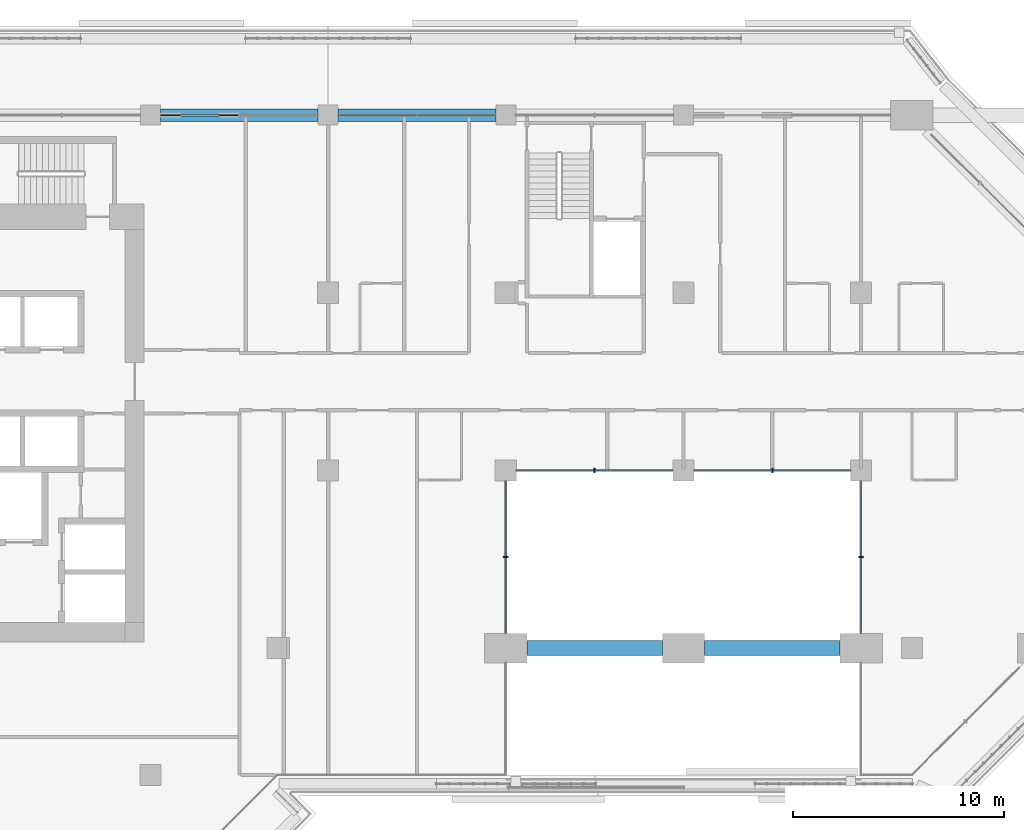
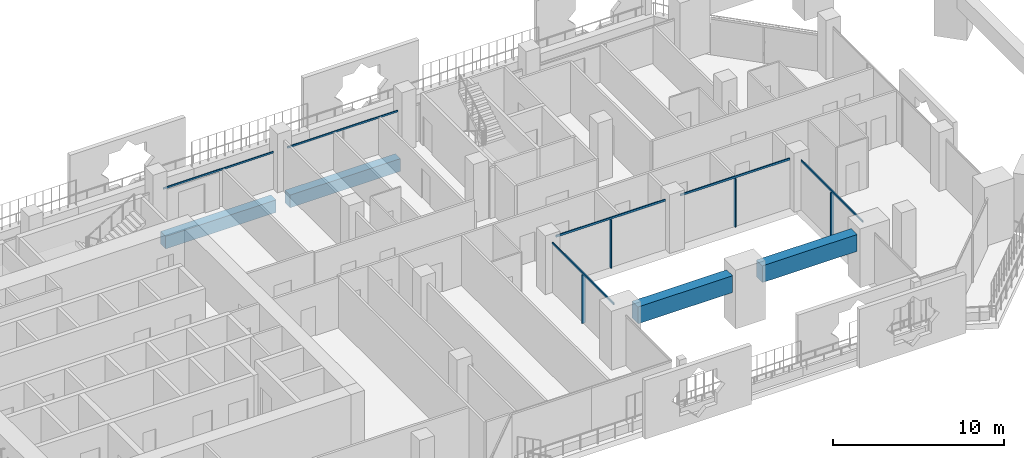
# One storey, part 6 of 24: 10 members, 4 beams, 4 elements without a shape of their own.
"""IFC4 building model written with IfcOpenShell, lengths in metres."""

from ifc_helpers import new_model, si_unit, direction, frame, origin, origin_2d, place, context, subcontext, project, spatial, rectangle, extrude, material, layer, layer_set, material_profile, profile_set, type_object, element, aggregate, save


model = new_model("IFC4")

# Units and contexts
model_context = context("Model", 3, precision=1e-05, world=origin(), true_north=direction((0.0, 1.0)))
body_context = subcontext(model_context, "Body", "Model", "MODEL_VIEW")
ifc_project = project(units=[si_unit("LENGTHUNIT", "METRE"), si_unit("AREAUNIT", "SQUARE_METRE"), si_unit("VOLUMEUNIT", "CUBIC_METRE"), si_unit("PLANEANGLEUNIT", "RADIAN"), si_unit("MASSUNIT", "GRAM", prefix="KILO")], contexts=[model_context])

# Site, building, storey
site_placement = place(None, origin())
site = spatial("IfcSite", under=ifc_project, at=site_placement, CompositionType="ELEMENT")
building_placement = place(site_placement, origin())
building = spatial("IfcBuilding", under=site, at=building_placement, Name="Kawkab Arch Medical Tower", CompositionType="ELEMENT")
storey_placement = place(building_placement, frame((0.0, 0.0, 162.60009765625)))
storey = spatial("IfcBuildingStorey", under=building, at=storey_placement, Name="L37", CompositionType="ELEMENT", Elevation=162.60009765625)

# Curtain wall, members
ifc_material_1 = material(Name="Bronze anodised aluminium curtain wall frame", Category="aluminium")
ifc_layer_1 = layer(ifc_material_1, 0.159912109375)
ifc_layer_set_1 = layer_set([ifc_layer_1], Name="Bronze anodised aluminium curtain wall frame")
curtain_wall_type_1 = type_object("IfcCurtainWallType", Name="CW1 ward curtain wall", PredefinedType="NOTDEFINED", material=ifc_layer_set_1)
placement = place(storey_placement, origin())
curtain_wall_1 = element("IfcCurtainWall", 1, at=placement, inside=storey, type_object=curtain_wall_type_1, Name="CW1 Ward curtain wall R09", PredefinedType="NOTDEFINED")
ifc_material_2 = material(Name="Bronze anodised aluminium curtain wall frame", Category="aluminium")
ifc_material_profile_1 = material_profile(ifc_material_2, rectangle(XDim=0.06005859375, YDim=0.1201171875, at=origin_2d()), Name="AL 60x120")
ifc_profile_set_1 = profile_set([ifc_material_profile_1], Name="Bronze anodised aluminium curtain wall frame")
member_type_1 = type_object("IfcMemberType", Name="CW1 transom 120 x 60", PredefinedType="USERDEFINED", material=ifc_profile_set_1)
member_1_placement = place(storey_placement, frame((41.52490234375, 0.0, 2.639892578125), z_axis=(-1.0, 0.0, 0.0), x_axis=(0.0, -1.0, 0.0)))
member_1 = element("IfcMember", 2, at=member_1_placement, type_object=member_type_1, Name="CW1 transom 3", ObjectType="TRANSOM", PredefinedType="USERDEFINED", context=body_context, shape_type="SweptSolid", body=[
    extrude(rectangle(XDim=0.06005859375, YDim=0.1201171875, at=origin_2d()), origin(), (0.0, 0.0, 1.0), 7.449951171875),
])
member_2_placement = place(storey_placement, frame((33.125, 0.0, 2.639892578125), z_axis=(-1.0, 0.0, 0.0), x_axis=(0.0, -1.0, 0.0)))
member_2 = element("IfcMember", 3, at=member_2_placement, type_object=member_type_1, Name="CW1 transom 4", ObjectType="TRANSOM", PredefinedType="USERDEFINED", context=body_context, shape_type="SweptSolid", body=[
    extrude(rectangle(XDim=0.06005859375, YDim=0.1201171875, at=origin_2d()), origin(), (0.0, 0.0, 1.0), 7.449951171875),
])
aggregate(curtain_wall_1, [member_1, member_2])

# Curtain wall, member
ifc_material_3 = material(Name="Bronze anodised aluminium curtain wall frame", Category="aluminium")
ifc_layer_2 = layer(ifc_material_3, 0.159912109375)
ifc_layer_set_2 = layer_set([ifc_layer_2], Name="Bronze anodised aluminium curtain wall frame")
curtain_wall_type_2 = type_object("IfcCurtainWallType", Name="CW3 sky garden curtain wall", PredefinedType="NOTDEFINED", material=ifc_layer_set_2)
curtain_wall_2 = element("IfcCurtainWall", 4, at=placement, inside=storey, type_object=curtain_wall_type_2, Name="CW3 Sky garden curtain wall R02", PredefinedType="NOTDEFINED")
ifc_material_4 = material(Name="Bronze anodised aluminium curtain wall frame", Category="aluminium")
ifc_material_profile_2 = material_profile(ifc_material_4, rectangle(XDim=0.219970703125, YDim=0.070068359375, at=origin_2d()), Name="AL 70x220")
ifc_profile_set_2 = profile_set([ifc_material_profile_2], Name="Bronze anodised aluminium curtain wall frame")
member_type_2 = type_object("IfcMemberType", Name="CW3 mullion 70 x 220", PredefinedType="MULLION", material=ifc_profile_set_2)
member_3_placement = place(storey_placement, frame((42.0, -20.89990234375, 0.0), z_axis=(0.0, 0.0, 1.0), x_axis=(-1.0, 0.0, 0.0)))
member_3 = element("IfcMember", 5, at=member_3_placement, type_object=member_type_2, Name="CW3 mullion 2.1", PredefinedType="MULLION", context=body_context, shape_type="SweptSolid", body=[
    extrude(rectangle(XDim=0.219970703125, YDim=0.070068359375, at=origin_2d()), origin(), (0.0, 0.0, 1.0), 3.4599609375),
])

# Curtain wall, members
curtain_wall_3 = element("IfcCurtainWall", 6, at=placement, inside=storey, type_object=curtain_wall_type_2, Name="CW3 Sky garden curtain wall R03", PredefinedType="NOTDEFINED")
member_4_placement = place(storey_placement, frame((46.199951171875, -16.800048828125, 0.0), z_axis=(0.0, 0.0, 1.0), x_axis=(0.0, 1.0, 0.0)))
member_4 = element("IfcMember", 7, at=member_4_placement, type_object=member_type_2, Name="CW3 mullion 1.1", PredefinedType="MULLION", context=body_context, shape_type="SweptSolid", body=[
    extrude(rectangle(XDim=0.219970703125, YDim=0.070068359375, at=origin_2d()), origin(), (0.0, 0.0, 1.0), 3.4599609375),
])
member_5_placement = place(storey_placement, frame((54.60009765625, -16.800048828125, 0.0), z_axis=(0.0, 0.0, 1.0), x_axis=(0.0, 1.0, 0.0)))
member_5 = element("IfcMember", 8, at=member_5_placement, type_object=member_type_2, Name="CW3 mullion 2.1", PredefinedType="MULLION", context=body_context, shape_type="SweptSolid", body=[
    extrude(rectangle(XDim=0.219970703125, YDim=0.070068359375, at=origin_2d()), origin(), (0.0, 0.0, 1.0), 3.4599609375),
])

# Curtain wall, member
curtain_wall_4 = element("IfcCurtainWall", 9, at=placement, inside=storey, type_object=curtain_wall_type_2, Name="CW3 Sky garden curtain wall R04", PredefinedType="NOTDEFINED")
member_6_placement = place(storey_placement, frame((58.800048828125, -20.89990234375, 0.0), z_axis=(0.0, 0.0, 1.0), x_axis=(1.0, 0.0, 0.0)))
member_6 = element("IfcMember", 10, at=member_6_placement, type_object=member_type_2, Name="CW3 mullion 1.1", PredefinedType="MULLION", context=body_context, shape_type="SweptSolid", body=[
    extrude(rectangle(XDim=0.219970703125, YDim=0.070068359375, at=origin_2d()), origin(), (0.0, 0.0, 1.0), 3.4599609375),
])

# Member
ifc_material_5 = material(Name="Bronze anodised aluminium curtain wall frame", Category="aluminium")
ifc_material_profile_3 = material_profile(ifc_material_5, rectangle(XDim=0.070068359375, YDim=0.139892578125, at=origin_2d()), Name="AL 70x140")
ifc_profile_set_3 = profile_set([ifc_material_profile_3], Name="Bronze anodised aluminium curtain wall frame")
member_type_3 = type_object("IfcMemberType", Name="CW3 transom 140 x 70", PredefinedType="USERDEFINED", material=ifc_profile_set_3)
member_7_placement = place(storey_placement, frame((42.0, -24.5, 3.52978515625), z_axis=(0.0, 1.0, 0.0), x_axis=(-1.0, 0.0, 0.0)))
member_7 = element("IfcMember", 11, at=member_7_placement, type_object=member_type_3, Name="CW3 transom 2", ObjectType="TRANSOM", PredefinedType="USERDEFINED", context=body_context, shape_type="SweptSolid", body=[
    extrude(rectangle(XDim=0.070068359375, YDim=0.139892578125, at=origin_2d()), origin(), (0.0, 0.0, 1.0), 7.199951171875),
])

aggregate(curtain_wall_2, [member_7, member_3])

member_8_placement = place(storey_placement, frame((42.5, -16.800048828125, 3.52978515625), z_axis=(1.0, 0.0, 0.0), x_axis=(0.0, 1.0, 0.0)))
member_8 = element("IfcMember", 12, at=member_8_placement, type_object=member_type_3, Name="CW3 transom 1", ObjectType="TRANSOM", PredefinedType="USERDEFINED", context=body_context, shape_type="SweptSolid", body=[
    extrude(rectangle(XDim=0.070068359375, YDim=0.139892578125, at=origin_2d()), origin(), (0.0, 0.0, 1.0), 7.39990234375),
])

member_9_placement = place(storey_placement, frame((50.89990234375, -16.800048828125, 3.52978515625), z_axis=(1.0, 0.0, 0.0), x_axis=(0.0, 1.0, 0.0)))
member_9 = element("IfcMember", 13, at=member_9_placement, type_object=member_type_3, Name="CW3 transom 2", ObjectType="TRANSOM", PredefinedType="USERDEFINED", context=body_context, shape_type="SweptSolid", body=[
    extrude(rectangle(XDim=0.070068359375, YDim=0.139892578125, at=origin_2d()), origin(), (0.0, 0.0, 1.0), 7.400146484375),
])

aggregate(curtain_wall_3, [member_8, member_4, member_9, member_5])

member_10_placement = place(storey_placement, frame((58.800048828125, -17.300048828125, 3.52978515625), z_axis=(0.0, -1.0, 0.0), x_axis=(1.0, 0.0, 0.0)))
member_10 = element("IfcMember", 14, at=member_10_placement, type_object=member_type_3, Name="CW3 transom 1", ObjectType="TRANSOM", PredefinedType="USERDEFINED", context=body_context, shape_type="SweptSolid", body=[
    extrude(rectangle(XDim=0.070068359375, YDim=0.139892578125, at=origin_2d()), origin(), (0.0, 0.0, 1.0), 7.199951171875),
])

aggregate(curtain_wall_4, [member_10, member_6])

# Beams
ifc_material_6 = material(Name="Concrete C50/60", Category="concrete")
ifc_material_profile_4 = material_profile(ifc_material_6, rectangle(XDim=0.60009765625, YDim=0.89990234375, at=origin_2d()), Name="RC 600x900")
ifc_profile_set_4 = profile_set([ifc_material_profile_4], Name="Concrete C50/60")
beam_type_1 = type_object("IfcBeamType", Name="RC 600x900 beam C50/60", PredefinedType="BEAM", material=ifc_profile_set_4)
for number, where, z_axis, x_axis, name in (
    (15, (25.675048828125, 0.0, -1.050048828125), (1.0, 0.0, 0.0), (0.0, 1.0, 0.0), "Overhang edge beam L37-04"),
    (16, (34.074951171875, 0.0, -1.050048828125), (1.0, 0.0, 0.0), (0.0, 1.0, 0.0), "Overhang edge beam L37-05"),
):
    element("IfcBeam", number, at=place(storey_placement, frame(where, z_axis=z_axis, x_axis=x_axis)), inside=storey, type_object=beam_type_1, Name=name, PredefinedType="BEAM", context=body_context, shape_type="SweptSolid", body=[
        extrude(rectangle(XDim=0.60009765625, YDim=0.89990234375, at=origin_2d()), origin(), (0.0, 0.0, 1.0), 7.449951171875),
    ])
ifc_material_7 = material(Name="Concrete C50/60", Category="concrete")
ifc_material_profile_5 = material_profile(ifc_material_7, rectangle(XDim=0.699951171875, YDim=1.199951171875, at=origin_2d()), Name="RC 700x1200")
ifc_profile_set_5 = profile_set([ifc_material_profile_5], Name="Concrete C50/60")
beam_type_2 = type_object("IfcBeamType", Name="RC 700x1200 beam C50/60", PredefinedType="BEAM", material=ifc_profile_set_5)
beam_1_placement = place(storey_placement, frame((57.800048828125, -25.199951171875, 3.0), z_axis=(-1.0, 0.0, 0.0), x_axis=(0.0, -1.0, 0.0)))
element("IfcBeam", 17, at=beam_1_placement, inside=storey, type_object=beam_type_2, Name="Terrace frame beam TF-L36-2-L38-01", PredefinedType="BEAM", context=body_context, shape_type="SweptSolid", body=[
    extrude(rectangle(XDim=0.699951171875, YDim=1.199951171875, at=origin_2d()), origin(), (0.0, 0.0, 1.0), 6.400146484375),
])
beam_2_placement = place(storey_placement, frame((49.39990234375, -25.199951171875, 3.0), z_axis=(-1.0, 0.0, 0.0), x_axis=(0.0, -1.0, 0.0)))
element("IfcBeam", 18, at=beam_2_placement, inside=storey, type_object=beam_type_2, Name="Terrace frame beam TF-L36-2-L38-02", PredefinedType="BEAM", context=body_context, shape_type="SweptSolid", body=[
    extrude(rectangle(XDim=0.699951171875, YDim=1.199951171875, at=origin_2d()), origin(), (0.0, 0.0, 1.0), 6.39990234375),
])

save(model, "model.ifc")
